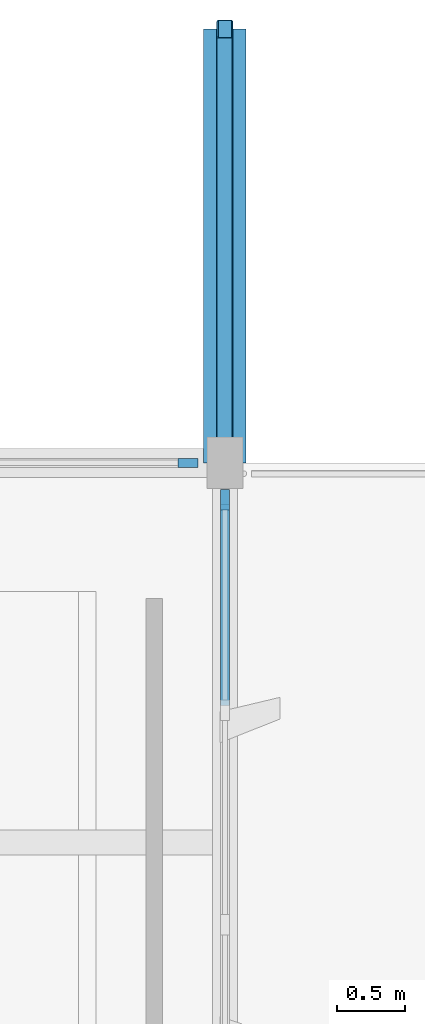
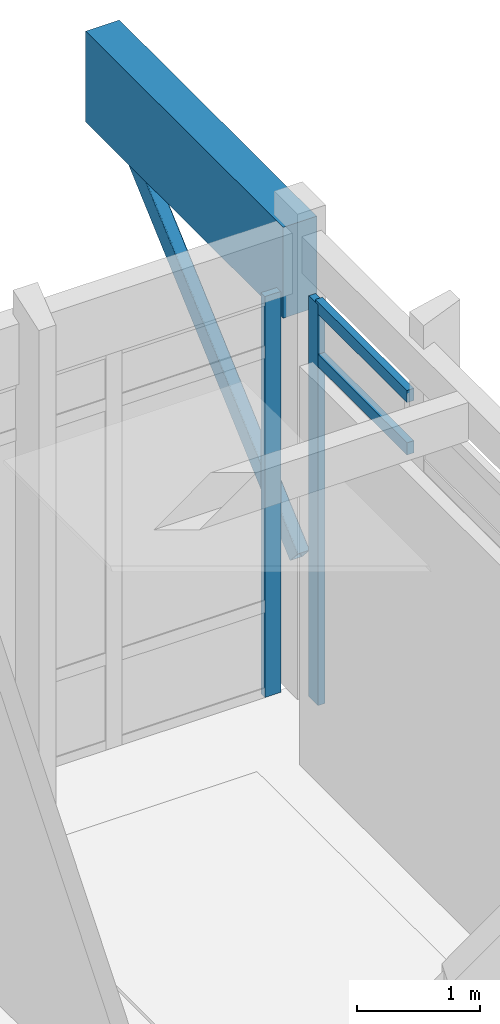
# One storey, part 11 of 19: 5 members, 1 beam, 2 elements without a shape of their own.
"""IFC4 building model written with IfcOpenShell, lengths in metres."""

from ifc_helpers import new_model, si_unit, direction, frame, origin, origin_2d, place, context, subcontext, project, spatial, rectangle, hollow_rectangle, extrude, material, layer, layer_set, material_profile, profile_set, type_object, element, aggregate, save


model = new_model("IFC4")

# Units and contexts
model_context = context("Model", 3, precision=1e-05, world=origin(), true_north=direction((0.0, 1.0)))
body_context = subcontext(model_context, "Body", "Model", "MODEL_VIEW")
ifc_project = project(units=[si_unit("LENGTHUNIT", "METRE"), si_unit("AREAUNIT", "SQUARE_METRE"), si_unit("VOLUMEUNIT", "CUBIC_METRE"), si_unit("PLANEANGLEUNIT", "RADIAN"), si_unit("MASSUNIT", "GRAM", prefix="KILO")], contexts=[model_context])

# Site, building, storey
site_placement = place(None, origin())
site = spatial("IfcSite", under=ifc_project, at=site_placement, CompositionType="ELEMENT")
building_placement = place(site_placement, origin())
building = spatial("IfcBuilding", under=site, at=building_placement, Name="Kolvemor Railside Polytechnic", CompositionType="ELEMENT")
storey_placement = place(building_placement, frame((0.0, 0.0, 27.0)))
storey = spatial("IfcBuildingStorey", under=building, at=storey_placement, Name="L06", CompositionType="ELEMENT", Elevation=27.0)

# Beam
ifc_material_1 = material(Name="Glulam GL28h", Category="wood")
ifc_material_profile_1 = material_profile(ifc_material_1, rectangle(XDim=0.31494140625, YDim=0.89990234375, at=origin_2d()), Name="GL315x900")
ifc_profile_set_1 = profile_set([ifc_material_profile_1], Name="Glulam GL28h")
beam_type = type_object("IfcBeamType", Name="BM-GL-CANT", PredefinedType="BEAM", material=ifc_profile_set_1)
beam_placement = place(storey_placement, frame((115.199951171875, 38.39990234375, 4.114990234375), z_axis=(0.0, 1.0, 0.0), x_axis=(-1.0, 0.0, 0.0)))
element("IfcBeam", 1, at=beam_placement, inside=storey, type_object=beam_type, Name="Cantilever Outrigger RF-GYC 1800", PredefinedType="BEAM", context=body_context, shape_type="SweptSolid", body=[
    extrude(rectangle(XDim=0.31494140625, YDim=0.89990234375, at=origin_2d()), origin(), (0.0, 0.0, 1.0), 3.2001953125),
])

# Curtain wall, member
ifc_material_2 = material(Name="Anodised marine aluminium and laminated low-E glass", Category="aluminium")
ifc_layer = layer(ifc_material_2, 0.179931640625, Name="CW-STICK-LIB")
ifc_layer_set = layer_set([ifc_layer], Name="Anodised marine aluminium and laminated low-E glass")
curtain_wall_type = type_object("IfcCurtainWallType", Name="CW-STICK-LIB", PredefinedType="USERDEFINED", material=ifc_layer_set)
curtain_wall_1_placement = place(storey_placement, origin())
curtain_wall_1 = element("IfcCurtainWall", 2, at=curtain_wall_1_placement, inside=storey, type_object=curtain_wall_type, Name="Curtain Wall L06-148", ObjectType="STICK GLAZED SCREEN", PredefinedType="USERDEFINED")
ifc_material_3 = material(Name="Anodised marine aluminium 6063-T6", Category="aluminium")
ifc_material_profile_2 = material_profile(ifc_material_3, rectangle(XDim=0.06494140625, YDim=0.14990234375, at=origin_2d()), Name="CW-MUL-65x150")
ifc_profile_set_2 = profile_set([ifc_material_profile_2], Name="Anodised marine aluminium 6063-T6")
member_type_1 = type_object("IfcMemberType", Name="CWM-65x150", PredefinedType="MULLION", material=ifc_profile_set_2)
member_1_placement = place(storey_placement, frame((114.927490234375, 38.39990234375, 0.0), z_axis=(0.0, 0.0, 1.0), x_axis=(0.0, -1.0, 0.0)))
member_1 = element("IfcMember", 3, at=member_1_placement, type_object=member_type_1, Name="CW-LIB mullion 1", PredefinedType="MULLION", context=body_context, shape_type="SweptSolid", body=[
    extrude(rectangle(XDim=0.06494140625, YDim=0.14990234375, at=origin_2d()), origin(), (0.0, 0.0, 1.0), 3.965087890625),
])
aggregate(curtain_wall_1, [member_1])

# Curtain wall, members
curtain_wall_2_placement = place(storey_placement, origin())
curtain_wall_2 = element("IfcCurtainWall", 4, at=curtain_wall_2_placement, inside=storey, type_object=curtain_wall_type, Name="Curtain Wall L06-152", ObjectType="STICK GLAZED SCREEN", PredefinedType="USERDEFINED")
member_2_placement = place(storey_placement, frame((115.199951171875, 38.12744140625, 0.0), z_axis=(0.0, 0.0, 1.0), x_axis=(-1.0, 0.0, 0.0)))
member_2 = element("IfcMember", 5, at=member_2_placement, type_object=member_type_1, Name="CW-LIB mullion 6", PredefinedType="MULLION", context=body_context, shape_type="SweptSolid", body=[
    extrude(rectangle(XDim=0.06494140625, YDim=0.14990234375, at=origin_2d()), origin(), (0.0, 0.0, 1.0), 3.965087890625),
])
ifc_material_4 = material(Name="Anodised marine aluminium 6063-T6", Category="aluminium")
ifc_material_profile_3 = material_profile(ifc_material_4, rectangle(XDim=0.06494140625, YDim=0.1201171875, at=origin_2d()), Name="CW-TRN-65x120")
ifc_profile_set_3 = profile_set([ifc_material_profile_3], Name="Anodised marine aluminium 6063-T6")
member_type_2 = type_object("IfcMemberType", Name="CWT-65x120", PredefinedType="USERDEFINED", material=ifc_profile_set_3)
member_3_placement = place(storey_placement, frame((115.199951171875, 36.6083984375, 3.4150390625), z_axis=(0.0, 1.0, 0.0), x_axis=(-1.0, 0.0, 0.0)))
member_3 = element("IfcMember", 6, at=member_3_placement, type_object=member_type_2, Name="CW-LIB transom 5.3", ObjectType="TRANSOM", PredefinedType="USERDEFINED", context=body_context, shape_type="SweptSolid", body=[
    extrude(rectangle(XDim=0.06494140625, YDim=0.1201171875, at=origin_2d()), origin(), (0.0, 0.0, 1.0), 1.486572265625),
])
member_4_placement = place(storey_placement, frame((115.199951171875, 36.6083984375, 3.9326171875), z_axis=(0.0, 1.0, 0.0), x_axis=(-1.0, 0.0, 0.0)))
member_4 = element("IfcMember", 7, at=member_4_placement, type_object=member_type_2, Name="CW-LIB transom 5.4", ObjectType="TRANSOM", PredefinedType="USERDEFINED", context=body_context, shape_type="SweptSolid", body=[
    extrude(rectangle(XDim=0.06494140625, YDim=0.1201171875, at=origin_2d()), origin(), (0.0, 0.0, 1.0), 1.486572265625),
])
aggregate(curtain_wall_2, [member_2, member_3, member_4])

# Member
ifc_material_5 = material(Name="Steel S355", Category="steel")
ifc_material_profile_4 = material_profile(ifc_material_5, hollow_rectangle(XDim=0.1201171875, YDim=0.199951171875, WallThickness=0.008056640625, InnerFilletRadius=0.008056640625, OuterFilletRadius=0.01611328125, at=origin_2d()), Name="HSS200x120x8")
ifc_profile_set_4 = profile_set([ifc_material_profile_4], Name="Steel S355")
member_type_3 = type_object("IfcMemberType", Name="MEM-BR-HSS2", PredefinedType="BRACE", material=ifc_profile_set_4)
member_5_placement = place(storey_placement, frame((115.199951171875, 38.39990234375, 1.264892578125), z_axis=(0.0, 0.746774046934, 0.665077832156), x_axis=(-1.0, 0.0, 0.0)))
element("IfcMember", 8, at=member_5_placement, inside=storey, type_object=member_type_3, Name="Overhang Knee Strut RF-KN1801", PredefinedType="BRACE", context=body_context, shape_type="SweptSolid", body=[
    extrude(hollow_rectangle(XDim=0.1201171875, YDim=0.199951171875, WallThickness=0.008056640625, InnerFilletRadius=0.008056640625, OuterFilletRadius=0.01611328125, at=origin_2d()), origin(), (0.0, 0.0, 1.0), 4.285400390625),
])

save(model, "model.ifc")
